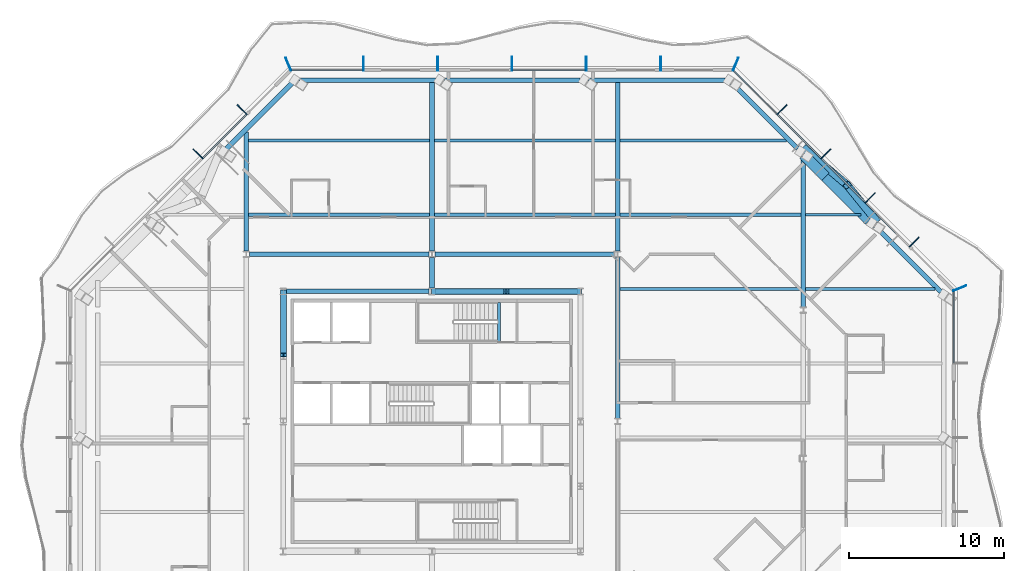
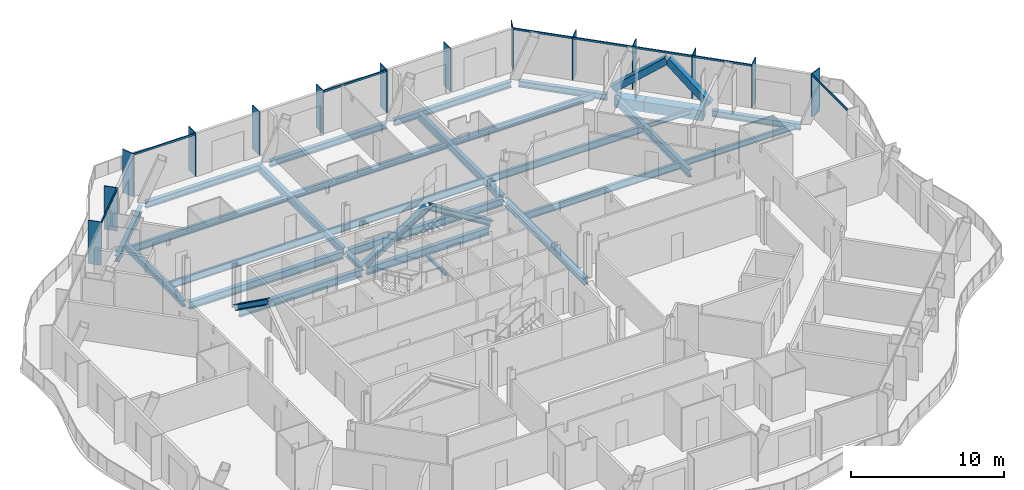
# One storey, part 5 of 19: 28 beams, 27 members, 4 elements without a shape of their own.
"""IFC4 building model written with IfcOpenShell, lengths in metres."""

from ifc_helpers import new_model, si_unit, direction, frame, origin, origin_2d, place, context, subcontext, project, spatial, rectangle, hollow_rectangle, i_section, extrude, material, material_profile, profile_set, type_object, element, aggregate, save


model = new_model("IFC4")

# Units and contexts
model_context = context("Model", 3, precision=1e-05, world=origin(), true_north=direction((0.0, 1.0)))
body_context = subcontext(model_context, "Body", "Model", "MODEL_VIEW")
ifc_project = project(units=[si_unit("LENGTHUNIT", "METRE"), si_unit("AREAUNIT", "SQUARE_METRE"), si_unit("VOLUMEUNIT", "CUBIC_METRE"), si_unit("PLANEANGLEUNIT", "RADIAN"), si_unit("MASSUNIT", "GRAM", prefix="KILO")], contexts=[model_context])

# Site, building, storey
site_placement = place(None, origin())
site = spatial("IfcSite", under=ifc_project, at=site_placement, CompositionType="ELEMENT")
building_placement = place(site_placement, origin())
building = spatial("IfcBuilding", under=site, at=building_placement, Name="Cairn Pilgrim Tower", CompositionType="ELEMENT")
storey_placement = place(building_placement, frame((0.0, 0.0, 190.199951171875)))
storey = spatial("IfcBuildingStorey", under=building, at=storey_placement, Name="L48", CompositionType="ELEMENT", Elevation=190.199951171875)

# Members
ifc_material_1 = material(Name="Structural steel S460M", Category="steel")
ifc_material_profile_1 = material_profile(ifc_material_1, hollow_rectangle(XDim=0.5, YDim=0.5, WallThickness=0.030029296875, at=origin_2d()), Name="BOX 500x500x30")
ifc_profile_set_1 = profile_set([ifc_material_profile_1], Name="Structural steel S460M")
member_type_1 = type_object("IfcMemberType", Name="BOX 500x500x30 BRACE", PredefinedType="BRACE", material=ifc_profile_set_1)
member_1_placement = place(storey_placement, frame((35.8798828125, 15.406494140625, 0.074951171875), z_axis=(-0.452768994898, 0.557193890846, 0.696085630697), x_axis=(-0.776080625375, -0.630633699478, 0.0)))
element("IfcMember", 1, at=member_1_placement, inside=storey, type_object=member_type_1, Name="XB-NE2-NE3-1", PredefinedType="BRACE", context=body_context, shape_type="SweptSolid", body=[
    extrude(hollow_rectangle(XDim=0.5, YDim=0.5, WallThickness=0.030029296875, at=origin_2d()), origin(), (0.0, 0.0, 1.0), 4.0517578125),
])
member_2_placement = place(storey_placement, frame((31.29150390625, 20.006103515625, 0.150146484375), z_axis=(0.605216816182, -0.51401531829, 0.607865822344), x_axis=(0.647342039462, 0.762199635231, 0.0)))
element("IfcMember", 2, at=member_2_placement, inside=storey, type_object=member_type_1, Name="XB-NE2-NE3-2", PredefinedType="BRACE", context=body_context, shape_type="SweptSolid", body=[
    extrude(hollow_rectangle(XDim=0.5, YDim=0.5, WallThickness=0.030029296875, at=origin_2d()), origin(), (0.0, 0.0, 1.0), 4.51611328125),
])

# Beams
ifc_material_2 = material(Name="Structural steel S355J2", Category="steel")
ifc_material_profile_2 = material_profile(ifc_material_2, hollow_rectangle(XDim=0.699951171875, YDim=0.800048828125, WallThickness=0.0400390625, at=origin_2d()), Name="BOX 700x800x40")
ifc_profile_set_2 = profile_set([ifc_material_profile_2], Name="Structural steel S355J2")
beam_type_1 = type_object("IfcBeamType", Name="BOX 700x800x40 RING GIRDER", PredefinedType="SPANDREL", material=ifc_profile_set_2)
beam_1_placement = place(storey_placement, frame((35.459716796875, 15.392333984375, -0.550048828125), z_axis=(-0.707076115411, 0.707137445632, 0.0), x_axis=(-0.707137445632, -0.707076115411, 0.0)))
element("IfcBeam", 3, at=beam_1_placement, inside=storey, type_object=beam_type_1, Name="RG2-NE2-NE3-1", PredefinedType="SPANDREL", context=body_context, shape_type="SweptSolid", body=[
    extrude(hollow_rectangle(XDim=0.699951171875, YDim=0.800048828125, WallThickness=0.0400390625, at=origin_2d()), origin(), (0.0, 0.0, 1.0), 3.980712890625),
])
beam_2_placement = place(storey_placement, frame((32.64501953125, 18.207275390625, -0.550048828125), z_axis=(-0.707167240917, 0.707046316286, 0.0), x_axis=(-0.707046316286, -0.707167240917, 0.0)))
element("IfcBeam", 4, at=beam_2_placement, inside=storey, type_object=beam_type_1, Name="RG2-NE2-NE3-2", PredefinedType="SPANDREL", context=body_context, shape_type="SweptSolid", body=[
    extrude(hollow_rectangle(XDim=0.699951171875, YDim=0.800048828125, WallThickness=0.0400390625, at=origin_2d()), origin(), (0.0, 0.0, 1.0), 2.01904296875),
])

# Curtain wall, members
ifc_material_3 = material(Name="Aluminium alloy 6063-T6 bronze anodised with Bronze tinted laminated low-E glass 8+16+8.8", Category="aluminium")
curtain_wall_type_1 = type_object("IfcCurtainWallType", Name="CHAMFER CORNER CURTAIN WALL", PredefinedType="NOTDEFINED", material=ifc_material_3)
curtain_wall_1_placement = place(storey_placement, origin())
curtain_wall_1 = element("IfcCurtainWall", 5, at=curtain_wall_1_placement, inside=storey, type_object=curtain_wall_type_1, Name="Chamfer Corner Curtain Wall NE", PredefinedType="NOTDEFINED")
ifc_material_4 = material(Name="Aluminium alloy 6063-T6 bronze anodised", Category="aluminium")
ifc_material_profile_3 = material_profile(ifc_material_4, rectangle(XDim=0.89990234375, YDim=0.06005859375, at=origin_2d()), Name="FIN MULLION 60x900 BRONZE")
ifc_profile_set_3 = profile_set([ifc_material_profile_3], Name="Aluminium alloy 6063-T6 bronze anodised")
member_type_2 = type_object("IfcMemberType", Name="FIN MULLION 60x900 BRONZE", PredefinedType="MULLION", material=ifc_profile_set_3)
member_3_placement = place(storey_placement, frame((41.31298828125, 11.007080078125, 0.0), z_axis=(0.0, 0.0, 1.0), x_axis=(0.923879532511, 0.382683432365, 0.0)))
member_3 = element("IfcMember", 6, at=member_3_placement, type_object=member_type_2, Name="Fin mullion NE1", PredefinedType="MULLION", context=body_context, shape_type="SweptSolid", body=[
    extrude(rectangle(XDim=0.89990234375, YDim=0.06005859375, at=origin_2d()), origin(), (0.0, 0.0, 1.0), 3.449951171875),
])
member_4_placement = place(storey_placement, frame((38.371337890625, 13.994140625, 0.0), z_axis=(0.0, 0.0, 1.0), x_axis=(0.707106781187, 0.707106781187, 0.0)))
member_4 = element("IfcMember", 7, at=member_4_placement, type_object=member_type_2, Name="Fin mullion NE2", PredefinedType="MULLION", context=body_context, shape_type="SweptSolid", body=[
    extrude(rectangle(XDim=0.89990234375, YDim=0.06005859375, at=origin_2d()), origin(), (0.0, 0.0, 1.0), 3.449951171875),
])
member_5_placement = place(storey_placement, frame((35.5205078125, 16.844970703125, 0.0), z_axis=(0.0, 0.0, 1.0), x_axis=(0.707106781187, 0.707106781187, 0.0)))
member_5 = element("IfcMember", 8, at=member_5_placement, type_object=member_type_2, Name="Fin mullion NE3", PredefinedType="MULLION", context=body_context, shape_type="SweptSolid", body=[
    extrude(rectangle(XDim=0.89990234375, YDim=0.06005859375, at=origin_2d()), origin(), (0.0, 0.0, 1.0), 3.449951171875),
])
member_6_placement = place(storey_placement, frame((32.669921875, 19.695556640625, 0.0), z_axis=(0.0, 0.0, 1.0), x_axis=(0.707106781187, 0.707106781187, 0.0)))
member_6 = element("IfcMember", 9, at=member_6_placement, type_object=member_type_2, Name="Fin mullion NE4", PredefinedType="MULLION", context=body_context, shape_type="SweptSolid", body=[
    extrude(rectangle(XDim=0.89990234375, YDim=0.06005859375, at=origin_2d()), origin(), (0.0, 0.0, 1.0), 3.449951171875),
])
member_7_placement = place(storey_placement, frame((29.819091796875, 22.54638671875, 0.0), z_axis=(0.0, 0.0, 1.0), x_axis=(0.707106781187, 0.707106781187, 0.0)))
member_7 = element("IfcMember", 10, at=member_7_placement, type_object=member_type_2, Name="Fin mullion NE5", PredefinedType="MULLION", context=body_context, shape_type="SweptSolid", body=[
    extrude(rectangle(XDim=0.89990234375, YDim=0.06005859375, at=origin_2d()), origin(), (0.0, 0.0, 1.0), 3.449951171875),
])

curtain_wall_type_2 = type_object("IfcCurtainWallType", Name="TOWER STICK CURTAIN WALL NS", PredefinedType="NOTDEFINED", material=ifc_material_3)
curtain_wall_2_placement = place(storey_placement, origin())
curtain_wall_2 = element("IfcCurtainWall", 11, at=curtain_wall_2_placement, inside=storey, type_object=curtain_wall_type_2, Name="Tower Stick Curtain Wall Ns N", PredefinedType="NOTDEFINED")
member_8_placement = place(storey_placement, frame((26.832275390625, 25.488037109375, 0.0), z_axis=(0.0, 0.0, 1.0), x_axis=(0.382683432365, 0.923879532511, 0.0)))
member_8 = element("IfcMember", 12, at=member_8_placement, type_object=member_type_2, Name="Fin mullion N1", PredefinedType="MULLION", context=body_context, shape_type="SweptSolid", body=[
    extrude(rectangle(XDim=0.89990234375, YDim=0.06005859375, at=origin_2d()), origin(), (0.0, 0.0, 1.0), 3.449951171875),
])
member_9_placement = place(storey_placement, frame((21.97509765625, 25.52001953125, 0.0), z_axis=(0.0, 0.0, 1.0), x_axis=(0.0, 1.0, 0.0)))
member_9 = element("IfcMember", 13, at=member_9_placement, type_object=member_type_2, Name="Fin mullion N2", PredefinedType="MULLION", context=body_context, shape_type="SweptSolid", body=[
    extrude(rectangle(XDim=0.89990234375, YDim=0.06005859375, at=origin_2d()), origin(), (0.0, 0.0, 1.0), 3.449951171875),
])
member_10_placement = place(storey_placement, frame((17.175048828125, 25.52001953125, 0.0), z_axis=(0.0, 0.0, 1.0), x_axis=(0.0, 1.0, 0.0)))
member_10 = element("IfcMember", 14, at=member_10_placement, type_object=member_type_2, Name="Fin mullion N3", PredefinedType="MULLION", context=body_context, shape_type="SweptSolid", body=[
    extrude(rectangle(XDim=0.89990234375, YDim=0.06005859375, at=origin_2d()), origin(), (0.0, 0.0, 1.0), 3.449951171875),
])
member_11_placement = place(storey_placement, frame((12.375, 25.52001953125, 0.0), z_axis=(0.0, 0.0, 1.0), x_axis=(0.0, 1.0, 0.0)))
member_11 = element("IfcMember", 15, at=member_11_placement, type_object=member_type_2, Name="Fin mullion N4", PredefinedType="MULLION", context=body_context, shape_type="SweptSolid", body=[
    extrude(rectangle(XDim=0.89990234375, YDim=0.06005859375, at=origin_2d()), origin(), (0.0, 0.0, 1.0), 3.449951171875),
])
member_12_placement = place(storey_placement, frame((7.574951171875, 25.52001953125, 0.0), z_axis=(0.0, 0.0, 1.0), x_axis=(0.0, 1.0, 0.0)))
member_12 = element("IfcMember", 16, at=member_12_placement, type_object=member_type_2, Name="Fin mullion N5", PredefinedType="MULLION", context=body_context, shape_type="SweptSolid", body=[
    extrude(rectangle(XDim=0.89990234375, YDim=0.06005859375, at=origin_2d()), origin(), (0.0, 0.0, 1.0), 3.449951171875),
])
member_13_placement = place(storey_placement, frame((2.77490234375, 25.52001953125, 0.0), z_axis=(0.0, 0.0, 1.0), x_axis=(0.0, 1.0, 0.0)))
member_13 = element("IfcMember", 17, at=member_13_placement, type_object=member_type_2, Name="Fin mullion N6", PredefinedType="MULLION", context=body_context, shape_type="SweptSolid", body=[
    extrude(rectangle(XDim=0.89990234375, YDim=0.06005859375, at=origin_2d()), origin(), (0.0, 0.0, 1.0), 3.449951171875),
])

curtain_wall_3_placement = place(storey_placement, origin())
curtain_wall_3 = element("IfcCurtainWall", 18, at=curtain_wall_3_placement, inside=storey, type_object=curtain_wall_type_1, Name="Chamfer Corner Curtain Wall NW", PredefinedType="NOTDEFINED")
member_14_placement = place(storey_placement, frame((-2.082275390625, 25.488037109375, 0.0), z_axis=(0.0, 0.0, 1.0), x_axis=(-0.382683432365, 0.923879532511, 0.0)))
member_14 = element("IfcMember", 19, at=member_14_placement, type_object=member_type_2, Name="Fin mullion NW1", PredefinedType="MULLION", context=body_context, shape_type="SweptSolid", body=[
    extrude(rectangle(XDim=0.89990234375, YDim=0.06005859375, at=origin_2d()), origin(), (0.0, 0.0, 1.0), 3.449951171875),
])
member_15_placement = place(storey_placement, frame((-5.069091796875, 22.54638671875, 0.0), z_axis=(0.0, 0.0, 1.0), x_axis=(-0.707106781187, 0.707106781187, 0.0)))
member_15 = element("IfcMember", 20, at=member_15_placement, type_object=member_type_2, Name="Fin mullion NW2", PredefinedType="MULLION", context=body_context, shape_type="SweptSolid", body=[
    extrude(rectangle(XDim=0.89990234375, YDim=0.06005859375, at=origin_2d()), origin(), (0.0, 0.0, 1.0), 3.449951171875),
])
member_16_placement = place(storey_placement, frame((-7.919921875, 19.695556640625, 0.0), z_axis=(0.0, 0.0, 1.0), x_axis=(-0.707106781187, 0.707106781187, 0.0)))
member_16 = element("IfcMember", 21, at=member_16_placement, type_object=member_type_2, Name="Fin mullion NW3", PredefinedType="MULLION", context=body_context, shape_type="SweptSolid", body=[
    extrude(rectangle(XDim=0.89990234375, YDim=0.06005859375, at=origin_2d()), origin(), (0.0, 0.0, 1.0), 3.449951171875),
])

# Members
ifc_material_profile_4 = material_profile(ifc_material_1, i_section(OverallWidth=0.408935546875, OverallDepth=0.425048828125, WebThickness=0.03271484375, FlangeThickness=0.052490234375, FilletRadius=0.014892578125, at=origin_2d()), Name="HD 400x421")
ifc_profile_set_4 = profile_set([ifc_material_profile_4], Name="Structural steel S460M")
member_type_3 = type_object("IfcMemberType", Name="HD 400x421 BRACE", PredefinedType="BRACE", material=ifc_profile_set_4)
for number, where, z_axis, x_axis, name in (
    (22, (16.75830078125, 10.800048828125, 0.10009765625), (-0.851119565216, 0.0, 0.524971890397), (0.0, -1.0, 0.0), "KB-3A"),
    (23, (7.24169921875, 10.800048828125, 0.10009765625), (0.851119565216, 0.0, 0.524971890397), (0.0, 1.0, 0.0), "KB-3B"),
):
    element("IfcMember", number, at=place(storey_placement, frame(where, z_axis=z_axis, x_axis=x_axis)), inside=storey, type_object=member_type_3, Name=name, PredefinedType="BRACE", context=body_context, shape_type="SweptSolid", body=[
        extrude(i_section(OverallWidth=0.408935546875, OverallDepth=0.425048828125, WebThickness=0.03271484375, FlangeThickness=0.052490234375, FilletRadius=0.014892578125, at=origin_2d()), origin(), (0.0, 0.0, 1.0), 5.528076171875),
    ])
member_17_placement = place(storey_placement, frame((-2.39990234375, 10.75830078125, 0.10009765625), z_axis=(0.0, -0.81433042856, 0.580401544727), x_axis=(1.0, 0.0, 0.0)))
element("IfcMember", 24, at=member_17_placement, inside=storey, type_object=member_type_3, Name="KB-4A", PredefinedType="BRACE", context=body_context, shape_type="SweptSolid", body=[
    extrude(i_section(OverallWidth=0.408935546875, OverallDepth=0.425048828125, WebThickness=0.03271484375, FlangeThickness=0.052490234375, FilletRadius=0.014892578125, at=origin_2d()), origin(), (0.0, 0.0, 1.0), 4.998046875),
])

# Beams
ifc_material_profile_5 = material_profile(ifc_material_2, i_section(OverallWidth=0.300048828125, OverallDepth=0.39990234375, WebThickness=0.013427734375, FlangeThickness=0.02392578125, FilletRadius=0.027099609375, at=origin_2d()), Name="HEB 400")
ifc_profile_set_5 = profile_set([ifc_material_profile_5], Name="Structural steel S355J2")
beam_type_2 = type_object("IfcBeamType", Name="HEB 400 GIRDER", PredefinedType="BEAM", material=ifc_profile_set_5)
beam_3_placement = place(storey_placement, frame((7.199951171875, 11.008056640625, -0.349853515625), z_axis=(0.0, 1.0, 0.0), x_axis=(-1.0, 0.0, 0.0)))
element("IfcBeam", 25, at=beam_3_placement, inside=storey, type_object=beam_type_2, Name="PG3-E2", PredefinedType="BEAM", context=body_context, shape_type="SweptSolid", body=[
    extrude(i_section(OverallWidth=0.300048828125, OverallDepth=0.39990234375, WebThickness=0.013427734375, FlangeThickness=0.02392578125, FilletRadius=0.027099609375, at=origin_2d()), origin(), (0.0, 0.0, 1.0), 1.992431640625),
])
ifc_material_profile_6 = material_profile(ifc_material_2, i_section(OverallWidth=0.300048828125, OverallDepth=0.5, WebThickness=0.014404296875, FlangeThickness=0.028076171875, FilletRadius=0.027099609375, at=origin_2d()), Name="HEB 500")
ifc_profile_set_6 = profile_set([ifc_material_profile_6], Name="Structural steel S355J2")
beam_type_3 = type_object("IfcBeamType", Name="HEB 500 GIRDER", PredefinedType="BEAM", material=ifc_profile_set_6)
beam_4_placement = place(storey_placement, frame((-4.800048828125, 13.3994140625, -0.39990234375), z_axis=(0.0, 1.0, 0.0), x_axis=(-1.0, 0.0, 0.0)))
element("IfcBeam", 26, at=beam_4_placement, inside=storey, type_object=beam_type_3, Name="PG2-4", PredefinedType="BEAM", context=body_context, shape_type="SweptSolid", body=[
    extrude(i_section(OverallWidth=0.300048828125, OverallDepth=0.5, WebThickness=0.014404296875, FlangeThickness=0.028076171875, FilletRadius=0.027099609375, at=origin_2d()), origin(), (0.0, 0.0, 1.0), 7.720703125),
])
ifc_material_profile_7 = material_profile(ifc_material_2, i_section(OverallWidth=0.300048828125, OverallDepth=0.5, WebThickness=0.014404296875, FlangeThickness=0.028076171875, FilletRadius=0.027099609375, at=origin_2d()), Name="HEB 500")
ifc_profile_set_7 = profile_set([ifc_material_profile_7], Name="Structural steel S355J2")
beam_type_4 = type_object("IfcBeamType", Name="HEB 500 RING GIRDER", PredefinedType="SPANDREL", material=ifc_profile_set_7)
beam_5_placement = place(storey_placement, frame((40.083984375, 10.76806640625, -0.39990234375), z_axis=(-0.707086434254, 0.707127127534, 0.0), x_axis=(-0.707127127534, -0.707086434254, 0.0)))
element("IfcBeam", 27, at=beam_5_placement, inside=storey, type_object=beam_type_4, Name="RG2-NE1-NE2", PredefinedType="SPANDREL", context=body_context, shape_type="SweptSolid", body=[
    extrude(i_section(OverallWidth=0.300048828125, OverallDepth=0.5, WebThickness=0.014404296875, FlangeThickness=0.028076171875, FilletRadius=0.027099609375, at=origin_2d()), origin(), (0.0, 0.0, 1.0), 5.99951171875),
])
beam_6_placement = place(storey_placement, frame((30.835693359375, 20.0166015625, -0.39990234375), z_axis=(-0.707127126363, 0.707086435425, 0.0), x_axis=(-0.707086435425, -0.707127126363, 0.0)))
element("IfcBeam", 28, at=beam_6_placement, inside=storey, type_object=beam_type_4, Name="RG2-NE3-N1", PredefinedType="SPANDREL", context=body_context, shape_type="SweptSolid", body=[
    extrude(i_section(OverallWidth=0.300048828125, OverallDepth=0.5, WebThickness=0.014404296875, FlangeThickness=0.028076171875, FilletRadius=0.027099609375, at=origin_2d()), origin(), (0.0, 0.0, 1.0), 5.999755859375),
])
beam_7_placement = place(storey_placement, frame((26.132080078125, 24.449951171875, -0.39990234375), z_axis=(-1.0, 0.0, 0.0), x_axis=(0.0, -1.0, 0.0)))
element("IfcBeam", 29, at=beam_7_placement, inside=storey, type_object=beam_type_4, Name="RG2-N1-N2", PredefinedType="SPANDREL", context=body_context, shape_type="SweptSolid", body=[
    extrude(i_section(OverallWidth=0.300048828125, OverallDepth=0.5, WebThickness=0.014404296875, FlangeThickness=0.028076171875, FilletRadius=0.027099609375, at=origin_2d()), origin(), (0.0, 0.0, 1.0), 8.811279296875),
])
beam_8_placement = place(storey_placement, frame((16.78076171875, 24.449951171875, -0.39990234375), z_axis=(-1.0, 0.0, 0.0), x_axis=(0.0, -1.0, 0.0)))
element("IfcBeam", 30, at=beam_8_placement, inside=storey, type_object=beam_type_4, Name="RG2-N2-N3", PredefinedType="SPANDREL", context=body_context, shape_type="SweptSolid", body=[
    extrude(i_section(OverallWidth=0.300048828125, OverallDepth=0.5, WebThickness=0.014404296875, FlangeThickness=0.028076171875, FilletRadius=0.027099609375, at=origin_2d()), origin(), (0.0, 0.0, 1.0), 8.8115234375),
])
beam_9_placement = place(storey_placement, frame((7.42919921875, 24.449951171875, -0.39990234375), z_axis=(-1.0, 0.0, 0.0), x_axis=(0.0, -1.0, 0.0)))
element("IfcBeam", 31, at=beam_9_placement, inside=storey, type_object=beam_type_4, Name="RG2-N3-NW1", PredefinedType="SPANDREL", context=body_context, shape_type="SweptSolid", body=[
    extrude(i_section(OverallWidth=0.300048828125, OverallDepth=0.5, WebThickness=0.014404296875, FlangeThickness=0.028076171875, FilletRadius=0.027099609375, at=origin_2d()), origin(), (0.0, 0.0, 1.0), 8.811279296875),
])
beam_10_placement = place(storey_placement, frame((-1.843017578125, 24.259033203125, -0.39990234375), z_axis=(-0.707127126363, -0.707086435425, 0.0), x_axis=(0.707086435425, -0.707127126363, 0.0)))
element("IfcBeam", 32, at=beam_10_placement, inside=storey, type_object=beam_type_4, Name="RG2-NW1-NW2", PredefinedType="SPANDREL", context=body_context, shape_type="SweptSolid", body=[
    extrude(i_section(OverallWidth=0.300048828125, OverallDepth=0.5, WebThickness=0.014404296875, FlangeThickness=0.028076171875, FilletRadius=0.027099609375, at=origin_2d()), origin(), (0.0, 0.0, 1.0), 5.999755859375),
])
ifc_material_profile_8 = material_profile(ifc_material_2, i_section(OverallWidth=0.300048828125, OverallDepth=0.60009765625, WebThickness=0.015380859375, FlangeThickness=0.030029296875, FilletRadius=0.027099609375, at=origin_2d()), Name="HEB 600")
ifc_profile_set_8 = profile_set([ifc_material_profile_8], Name="Structural steel S355J2")
beam_type_5 = type_object("IfcBeamType", Name="HEB 600 CORE BEAM", PredefinedType="BEAM", material=ifc_profile_set_8)
for number, where, z_axis, x_axis, name in (
    (33, (16.61279296875, 10.800048828125, -0.449951171875), (-1.0, 0.0, 0.0), (0.0, -1.0, 0.0), "CB-5"),
    (34, (7.0126953125, 10.800048828125, -0.449951171875), (-1.0, 0.0, 0.0), (0.0, -1.0, 0.0), "CB-6"),
):
    element("IfcBeam", number, at=place(storey_placement, frame(where, z_axis=z_axis, x_axis=x_axis)), inside=storey, type_object=beam_type_5, Name=name, PredefinedType="BEAM", context=body_context, shape_type="SweptSolid", body=[
        extrude(i_section(OverallWidth=0.300048828125, OverallDepth=0.60009765625, WebThickness=0.015380859375, FlangeThickness=0.030029296875, FilletRadius=0.027099609375, at=origin_2d()), origin(), (0.0, 0.0, 1.0), 9.2255859375),
    ])
ifc_material_profile_9 = material_profile(ifc_material_2, i_section(OverallWidth=0.300048828125, OverallDepth=0.60009765625, WebThickness=0.015380859375, FlangeThickness=0.030029296875, FilletRadius=0.027099609375, at=origin_2d()), Name="HEB 600")
ifc_profile_set_9 = profile_set([ifc_material_profile_9], Name="Structural steel S355J2")
beam_type_6 = type_object("IfcBeamType", Name="HEB 600 GIRDER", PredefinedType="BEAM", material=ifc_profile_set_9)
beam_11_placement = place(storey_placement, frame((7.199951171875, 13.3994140625, -0.449951171875), z_axis=(0.0, 1.0, 0.0), x_axis=(-1.0, 0.0, 0.0)))
element("IfcBeam", 35, at=beam_11_placement, inside=storey, type_object=beam_type_6, Name="PG3-2", PredefinedType="BEAM", context=body_context, shape_type="SweptSolid", body=[
    extrude(i_section(OverallWidth=0.300048828125, OverallDepth=0.60009765625, WebThickness=0.015380859375, FlangeThickness=0.030029296875, FilletRadius=0.027099609375, at=origin_2d()), origin(), (0.0, 0.0, 1.0), 10.9306640625),
])
beam_12_placement = place(storey_placement, frame((19.199951171875, 2.599609375, -0.449951171875), z_axis=(0.0, 1.0, 0.0), x_axis=(-1.0, 0.0, 0.0)))
element("IfcBeam", 36, at=beam_12_placement, inside=storey, type_object=beam_type_6, Name="PG4-3", PredefinedType="BEAM", context=body_context, shape_type="SweptSolid", body=[
    extrude(i_section(OverallWidth=0.300048828125, OverallDepth=0.60009765625, WebThickness=0.015380859375, FlangeThickness=0.030029296875, FilletRadius=0.027099609375, at=origin_2d()), origin(), (0.0, 0.0, 1.0), 10.40087890625),
])
beam_13_placement = place(storey_placement, frame((19.199951171875, 13.3994140625, -0.449951171875), z_axis=(0.0, 1.0, 0.0), x_axis=(-1.0, 0.0, 0.0)))
element("IfcBeam", 37, at=beam_13_placement, inside=storey, type_object=beam_type_6, Name="PG4-4", PredefinedType="BEAM", context=body_context, shape_type="SweptSolid", body=[
    extrude(i_section(OverallWidth=0.300048828125, OverallDepth=0.60009765625, WebThickness=0.015380859375, FlangeThickness=0.030029296875, FilletRadius=0.027099609375, at=origin_2d()), origin(), (0.0, 0.0, 1.0), 10.9306640625),
])
beam_14_placement = place(storey_placement, frame((31.199951171875, 9.804443359375, -0.449951171875), z_axis=(0.0, 1.0, 0.0), x_axis=(-1.0, 0.0, 0.0)))
element("IfcBeam", 38, at=beam_14_placement, inside=storey, type_object=beam_type_6, Name="PG5-3", PredefinedType="BEAM", context=body_context, shape_type="SweptSolid", body=[
    extrude(i_section(OverallWidth=0.300048828125, OverallDepth=0.60009765625, WebThickness=0.015380859375, FlangeThickness=0.030029296875, FilletRadius=0.027099609375, at=origin_2d()), origin(), (0.0, 0.0, 1.0), 9.665771484375),
])
ifc_material_profile_10 = material_profile(ifc_material_2, i_section(OverallWidth=0.300048828125, OverallDepth=0.60009765625, WebThickness=0.015380859375, FlangeThickness=0.030029296875, FilletRadius=0.027099609375, at=origin_2d()), Name="HEB 600")
ifc_profile_set_10 = profile_set([ifc_material_profile_10], Name="Structural steel S355J2")
beam_type_7 = type_object("IfcBeamType", Name="HEB 600 INNER GIRDER", PredefinedType="BEAM", material=ifc_profile_set_10)
for number, where, z_axis, x_axis, name in (
    (39, (-4.6005859375, 13.199951171875, -0.449951171875), (1.0, 0.0, 0.0), (0.0, 1.0, 0.0), "IG2-1"),
    (40, (7.3994140625, 13.199951171875, -0.449951171875), (1.0, 0.0, 0.0), (0.0, 1.0, 0.0), "IG2-2"),
):
    element("IfcBeam", number, at=place(storey_placement, frame(where, z_axis=z_axis, x_axis=x_axis)), inside=storey, type_object=beam_type_7, Name=name, PredefinedType="BEAM", context=body_context, shape_type="SweptSolid", body=[
        extrude(i_section(OverallWidth=0.300048828125, OverallDepth=0.60009765625, WebThickness=0.015380859375, FlangeThickness=0.030029296875, FilletRadius=0.027099609375, at=origin_2d()), origin(), (0.0, 0.0, 1.0), 11.60107421875),
    ])
ifc_material_profile_11 = material_profile(ifc_material_2, i_section(OverallWidth=0.169921875, OverallDepth=0.360107421875, WebThickness=0.008056640625, FlangeThickness=0.0126953125, FilletRadius=0.01806640625, at=origin_2d()), Name="IPE 360")
ifc_profile_set_11 = profile_set([ifc_material_profile_11], Name="Structural steel S355J2")
beam_type_8 = type_object("IfcBeamType", Name="IPE 360 SECONDARY BEAM", PredefinedType="JOIST", material=ifc_profile_set_11)
beam_15_placement = place(storey_placement, frame((31.35009765625, 15.75, -0.329833984375), z_axis=(1.0, 0.0, 0.0), x_axis=(0.0, 1.0, 0.0)))
element("IfcBeam", 41, at=beam_15_placement, inside=storey, type_object=beam_type_8, Name="SB8-5", PredefinedType="JOIST", context=body_context, shape_type="SweptSolid", body=[
    extrude(i_section(OverallWidth=0.169921875, OverallDepth=0.360107421875, WebThickness=0.008056640625, FlangeThickness=0.0126953125, FilletRadius=0.01806640625, at=origin_2d()), origin(), (0.0, 0.0, 1.0), 3.570068359375),
])
ifc_material_profile_12 = material_profile(ifc_material_2, i_section(OverallWidth=0.18994140625, OverallDepth=0.449951171875, WebThickness=0.009521484375, FlangeThickness=0.0146484375, FilletRadius=0.02099609375, at=origin_2d()), Name="IPE 450")
ifc_profile_set_12 = profile_set([ifc_material_profile_12], Name="Structural steel S355J2")
beam_type_9 = type_object("IfcBeamType", Name="IPE 450 SECONDARY BEAM", PredefinedType="JOIST", material=ifc_profile_set_12)
beam_16_placement = place(storey_placement, frame((31.35009765625, 10.949951171875, -0.375), z_axis=(1.0, 0.0, 0.0), x_axis=(0.0, 1.0, 0.0)))
element("IfcBeam", 42, at=beam_16_placement, inside=storey, type_object=beam_type_9, Name="SB7-3", PredefinedType="JOIST", context=body_context, shape_type="SweptSolid", body=[
    extrude(i_section(OverallWidth=0.18994140625, OverallDepth=0.449951171875, WebThickness=0.009521484375, FlangeThickness=0.0146484375, FilletRadius=0.02099609375, at=origin_2d()), origin(), (0.0, 0.0, 1.0), 8.3701171875),
])
ifc_material_profile_13 = material_profile(ifc_material_2, i_section(OverallWidth=0.2099609375, OverallDepth=0.550048828125, WebThickness=0.010986328125, FlangeThickness=0.01708984375, FilletRadius=0.02392578125, at=origin_2d()), Name="IPE 550")
ifc_profile_set_13 = profile_set([ifc_material_profile_13], Name="Structural steel S355J2")
beam_type_10 = type_object("IfcBeamType", Name="IPE 550 SECONDARY BEAM", PredefinedType="JOIST", material=ifc_profile_set_13)
for number, where, z_axis, x_axis, name in (
    (43, (19.35009765625, 10.949951171875, -0.425048828125), (1.0, 0.0, 0.0), (0.0, 1.0, 0.0), "SB7-2"),
    (44, (-4.64990234375, 15.75, -0.425048828125), (1.0, 0.0, 0.0), (0.0, 1.0, 0.0), "SB8-2"),
    (45, (7.35009765625, 15.75, -0.425048828125), (1.0, 0.0, 0.0), (0.0, 1.0, 0.0), "SB8-3"),
    (46, (19.35009765625, 15.75, -0.425048828125), (1.0, 0.0, 0.0), (0.0, 1.0, 0.0), "SB8-4"),
    (47, (-4.64990234375, 20.550048828125, -0.425048828125), (1.0, 0.0, 0.0), (0.0, 1.0, 0.0), "SB9-1"),
    (48, (7.35009765625, 20.550048828125, -0.425048828125), (1.0, 0.0, 0.0), (0.0, 1.0, 0.0), "SB9-2"),
):
    element("IfcBeam", number, at=place(storey_placement, frame(where, z_axis=z_axis, x_axis=x_axis)), inside=storey, type_object=beam_type_10, Name=name, PredefinedType="JOIST", context=body_context, shape_type="SweptSolid", body=[
        extrude(i_section(OverallWidth=0.2099609375, OverallDepth=0.550048828125, WebThickness=0.010986328125, FlangeThickness=0.01708984375, FilletRadius=0.02392578125, at=origin_2d()), origin(), (0.0, 0.0, 1.0), 11.699951171875),
    ])
beam_17_placement = place(storey_placement, frame((19.35009765625, 20.550048828125, -0.425048828125), z_axis=(1.0, 0.0, 0.0), x_axis=(0.0, 1.0, 0.0)))
element("IfcBeam", 49, at=beam_17_placement, inside=storey, type_object=beam_type_10, Name="SB9-3", PredefinedType="JOIST", context=body_context, shape_type="SweptSolid", body=[
    extrude(i_section(OverallWidth=0.2099609375, OverallDepth=0.550048828125, WebThickness=0.010986328125, FlangeThickness=0.01708984375, FilletRadius=0.02392578125, at=origin_2d()), origin(), (0.0, 0.0, 1.0), 10.77001953125),
])
ifc_material_profile_14 = material_profile(ifc_material_2, i_section(OverallWidth=0.199951171875, OverallDepth=0.199951171875, WebThickness=0.009033203125, FlangeThickness=0.014892578125, FilletRadius=0.01806640625, at=origin_2d()), Name="HE 200 B")
ifc_profile_set_14 = profile_set([ifc_material_profile_14], Name="Structural steel S355J2")
beam_type_11 = type_object("IfcBeamType", Name="STAIR LANDING BEAM HE 200 B", PredefinedType="BEAM", material=ifc_profile_set_14)
beam_18_placement = place(storey_placement, frame((11.5244140625, 10.10009765625, -0.25), z_axis=(0.0, -1.0, 0.0), x_axis=(1.0, 0.0, 0.0)))
element("IfcBeam", 50, at=beam_18_placement, inside=storey, type_object=beam_type_11, Name="STAIR LANDING BEAM LD-HE200B", PredefinedType="BEAM", context=body_context, shape_type="SweptSolid", body=[
    extrude(i_section(OverallWidth=0.199951171875, OverallDepth=0.199951171875, WebThickness=0.009033203125, FlangeThickness=0.014892578125, FilletRadius=0.01806640625, at=origin_2d()), origin(), (0.0, 0.0, 1.0), 2.525146484375),
])

# Curtain wall, member
curtain_wall_type_3 = type_object("IfcCurtainWallType", Name="TOWER STICK CURTAIN WALL EW", PredefinedType="NOTDEFINED", material=ifc_material_3)
curtain_wall_4_placement = place(storey_placement, origin())
curtain_wall_4 = element("IfcCurtainWall", 51, at=curtain_wall_4_placement, inside=storey, type_object=curtain_wall_type_3, Name="Tower Stick Curtain Wall Ew E", PredefinedType="NOTDEFINED")
ifc_material_profile_15 = material_profile(ifc_material_4, rectangle(XDim=0.080078125, YDim=0.14990234375, at=origin_2d()), Name="TRANSOM 80x150 BRONZE")
ifc_profile_set_15 = profile_set([ifc_material_profile_15], Name="Aluminium alloy 6063-T6 bronze anodised")
member_type_4 = type_object("IfcMemberType", Name="TRANSOM 80x150 BRONZE", PredefinedType="USERDEFINED", material=ifc_profile_set_15)
member_18_placement = place(storey_placement, frame((40.925048828125, 6.179931640625, 3.375), z_axis=(0.0, 1.0, 0.0), x_axis=(-1.0, 0.0, 0.0)))
member_18 = element("IfcMember", 52, at=member_18_placement, type_object=member_type_4, Name="Transom E4", ObjectType="TRANSOM", PredefinedType="USERDEFINED", context=body_context, shape_type="SweptSolid", body=[
    extrude(rectangle(XDim=0.080078125, YDim=0.14990234375, at=origin_2d()), origin(), (0.0, 0.0, 1.0), 4.62646484375),
])
aggregate(curtain_wall_4, [member_18])

# Member
member_19_placement = place(storey_placement, frame((38.052978515625, 13.71826171875, 3.375), z_axis=(-0.707076043427, 0.70713751761, 0.0), x_axis=(-0.70713751761, -0.707076043427, 0.0)))
member_19 = element("IfcMember", 53, at=member_19_placement, type_object=member_type_4, Name="Transom NE2", ObjectType="TRANSOM", PredefinedType="USERDEFINED", context=body_context, shape_type="SweptSolid", body=[
    extrude(rectangle(XDim=0.080078125, YDim=0.14990234375, at=origin_2d()), origin(), (0.0, 0.0, 1.0), 3.971435546875),
])

member_20_placement = place(storey_placement, frame((35.202392578125, 16.569091796875, 3.375), z_axis=(-0.707106781187, 0.707106781187, 0.0), x_axis=(-0.707106781187, -0.707106781187, 0.0)))
member_20 = element("IfcMember", 54, at=member_20_placement, type_object=member_type_4, Name="Transom NE3", ObjectType="TRANSOM", PredefinedType="USERDEFINED", context=body_context, shape_type="SweptSolid", body=[
    extrude(rectangle(XDim=0.080078125, YDim=0.14990234375, at=origin_2d()), origin(), (0.0, 0.0, 1.0), 3.9716796875),
])

member_21_placement = place(storey_placement, frame((32.3515625, 19.419677734375, 3.375), z_axis=(-0.707076043427, 0.70713751761, 0.0), x_axis=(-0.70713751761, -0.707076043427, 0.0)))
member_21 = element("IfcMember", 55, at=member_21_placement, type_object=member_type_4, Name="Transom NE4", ObjectType="TRANSOM", PredefinedType="USERDEFINED", context=body_context, shape_type="SweptSolid", body=[
    extrude(rectangle(XDim=0.080078125, YDim=0.14990234375, at=origin_2d()), origin(), (0.0, 0.0, 1.0), 3.971435546875),
])

member_22_placement = place(storey_placement, frame((29.5009765625, 22.2705078125, 3.375), z_axis=(-0.707106781187, 0.707106781187, 0.0), x_axis=(-0.707106781187, -0.707106781187, 0.0)))
member_22 = element("IfcMember", 56, at=member_22_placement, type_object=member_type_4, Name="Transom NE5", ObjectType="TRANSOM", PredefinedType="USERDEFINED", context=body_context, shape_type="SweptSolid", body=[
    extrude(rectangle(XDim=0.080078125, YDim=0.14990234375, at=origin_2d()), origin(), (0.0, 0.0, 1.0), 3.961669921875),
])

aggregate(curtain_wall_1, [member_3, member_4, member_5, member_6, member_7, member_19, member_20, member_21, member_22])

member_23_placement = place(storey_placement, frame((17.14501953125, 25.10009765625, 3.375), z_axis=(-1.0, 0.0, 0.0), x_axis=(0.0, -1.0, 0.0)))
member_23 = element("IfcMember", 57, at=member_23_placement, type_object=member_type_4, Name="Transom N3", ObjectType="TRANSOM", PredefinedType="USERDEFINED", context=body_context, shape_type="SweptSolid", body=[
    extrude(rectangle(XDim=0.080078125, YDim=0.14990234375, at=origin_2d()), origin(), (0.0, 0.0, 1.0), 4.739990234375),
])

member_24_placement = place(storey_placement, frame((2.7451171875, 25.10009765625, 3.375), z_axis=(-1.0, 0.0, 0.0), x_axis=(0.0, -1.0, 0.0)))
member_24 = element("IfcMember", 58, at=member_24_placement, type_object=member_type_4, Name="Transom N6", ObjectType="TRANSOM", PredefinedType="USERDEFINED", context=body_context, shape_type="SweptSolid", body=[
    extrude(rectangle(XDim=0.080078125, YDim=0.14990234375, at=origin_2d()), origin(), (0.0, 0.0, 1.0), 4.62646484375),
])

aggregate(curtain_wall_2, [member_8, member_9, member_10, member_11, member_12, member_13, member_23, member_24])

member_25_placement = place(storey_placement, frame((-4.79345703125, 22.22802734375, 3.375), z_axis=(-0.707076043427, -0.70713751761, 0.0), x_axis=(0.70713751761, -0.707076043427, 0.0)))
member_25 = element("IfcMember", 59, at=member_25_placement, type_object=member_type_4, Name="Transom NW2", ObjectType="TRANSOM", PredefinedType="USERDEFINED", context=body_context, shape_type="SweptSolid", body=[
    extrude(rectangle(XDim=0.080078125, YDim=0.14990234375, at=origin_2d()), origin(), (0.0, 0.0, 1.0), 3.971435546875),
])

aggregate(curtain_wall_3, [member_14, member_15, member_16, member_25])

save(model, "model.ifc")
